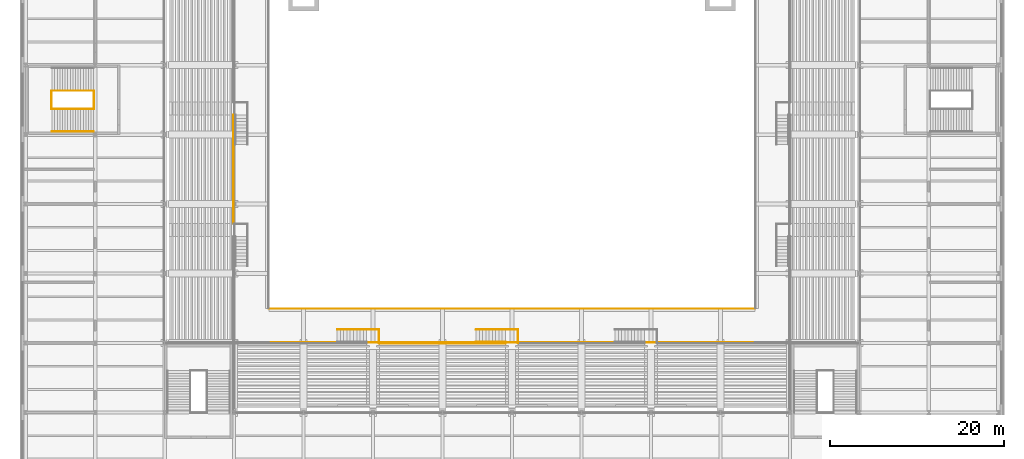
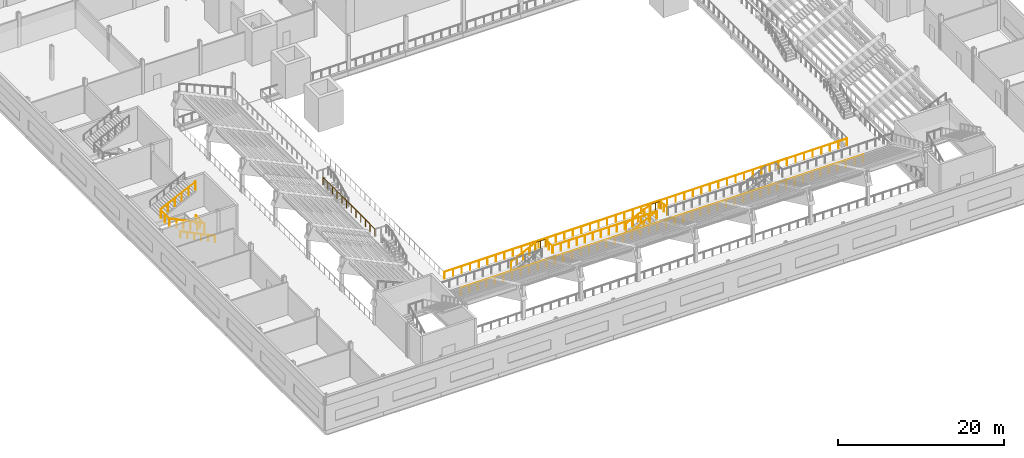
# One storey, part 21 of 27: 16 railings.
"""IFC4 building model written with IfcOpenShell, lengths in metres."""

import ifcopenshell
import ifcopenshell.guid

model = None  # the IFC model being written
_history = None  # IfcOwnerHistory: only IFC2X3 demands one
_inside = {}  # id of a spatial element -> (the spatial element, [elements in it])
_under = {}  # id of a project, library or spatial element -> (it, [spatial elements below it])
_declared = {}  # id of a project -> (the project, [libraries it declares])
_typed = {}  # id of a type object -> (the type object, [elements of that type])
_made_of = {}  # id of a material, layer set ... -> (it, [elements and type objects made of it])


def new_model(schema):
    """Start an empty IFC model of exactly this schema.

    Asked for "IFC4X3", IfcOpenShell would pick the latest addendum, in which some entities
    have other attributes; the version numbers below select the first issue.
    IFC2X3 requires an IfcOwnerHistory on every rooted entity: one is made here for all.
    """
    global model, _history
    if schema == "IFC4X3":
        model = ifcopenshell.file(schema_version=(4, 3, 0, 0))
    else:
        model = ifcopenshell.file(schema=schema)
    _inside.clear()
    _under.clear()
    _declared.clear()
    _typed.clear()
    _made_of.clear()
    _history = None
    if model.schema == "IFC2X3":
        org = make("IfcOrganization", Name="unknown")
        user = make(
            "IfcPersonAndOrganization",
            ThePerson=make("IfcPerson", FamilyName="unknown"),
            TheOrganization=org,
        )
        app = make(
            "IfcApplication",
            ApplicationDeveloper=org,
            Version="unknown",
            ApplicationFullName="unknown",
            ApplicationIdentifier="unknown",
        )
        _history = make(
            "IfcOwnerHistory",
            OwningUser=user,
            OwningApplication=app,
            ChangeAction="ADDED",
            CreationDate=0,
        )
    return model


def make(cls, **values):
    """One entity of the class cls with the attributes given. An attribute that is None is left unset."""
    return model.create_entity(
        cls, **{name: value for name, value in values.items() if value is not None}
    )


def rooted(cls, **values):
    """An entity with a GlobalId (a new one), such as an element, a storey or a relation."""
    return make(cls, GlobalId=ifcopenshell.guid.new(), OwnerHistory=_history, **values)


def si_unit(unit_type, name, prefix=None):
    """IfcSIUnit, for example si_unit("LENGTHUNIT", "METRE", prefix="MILLI")."""
    return make("IfcSIUnit", UnitType=unit_type, Prefix=prefix, Name=name)


def assignment(units):
    """IfcUnitAssignment: the units of a project."""
    return None if units is None else make("IfcUnitAssignment", Units=units)


def point(xyz):
    """IfcCartesianPoint."""
    return None if xyz is None else make("IfcCartesianPoint", Coordinates=xyz)


def direction(xyz):
    """IfcDirection."""
    return None if xyz is None else make("IfcDirection", DirectionRatios=xyz)


def frame(location, z_axis=None, x_axis=None):
    """IfcAxis2Placement3D, a coordinate frame: its origin and axes. An axis left out is left unset."""
    return make(
        "IfcAxis2Placement3D",
        Location=point(location),
        Axis=direction(z_axis),
        RefDirection=direction(x_axis),
    )


def frame_2d(location, x_axis=None):
    """IfcAxis2Placement2D, a coordinate frame in the plane: its origin and x axis."""
    return make(
        "IfcAxis2Placement2D", Location=point(location), RefDirection=direction(x_axis)
    )


def origin():
    """The frame at (0, 0, 0) with its axes left unset."""
    return frame((0.0, 0.0, 0.0))


def origin_2d():
    """The frame at (0, 0) in the plane with its x axis left unset."""
    return frame_2d((0.0, 0.0))


def place(relative_to, where):
    """IfcLocalPlacement: puts the frame where relative to a parent placement (None: the world)."""
    return make(
        "IfcLocalPlacement", PlacementRelTo=relative_to, RelativePlacement=where
    )


def context(
    kind, dimensions, precision=None, world=None, true_north=None, identifier=None
):
    """IfcGeometricRepresentationContext, for example the 3D "Model" context."""
    return make(
        "IfcGeometricRepresentationContext",
        ContextIdentifier=identifier,
        ContextType=kind,
        CoordinateSpaceDimension=dimensions,
        Precision=precision,
        WorldCoordinateSystem=world,
        TrueNorth=true_north,
    )


def subcontext(parent, identifier, kind, view, scale=None):
    """IfcGeometricRepresentationSubContext, for example "Body" below "Model"."""
    return make(
        "IfcGeometricRepresentationSubContext",
        ContextIdentifier=identifier,
        ContextType=kind,
        ParentContext=parent,
        TargetScale=scale,
        TargetView=view,
    )


def project(units=None, contexts=None):
    """IfcProject with its units and contexts."""
    return rooted(
        "IfcProject",
        Name="project",
        RepresentationContexts=contexts,
        UnitsInContext=assignment(units),
    )


def spatial(cls, under=None, at=None, **own):
    """A site, building, storey or space (cls), placed at a placement, below another one or the project."""
    s = rooted(cls, ObjectPlacement=at, **own)
    if under is not None:
        _under.setdefault(under.id(), (under, []))[1].append(s)
    return s


def profile(cls, at=None, kind="AREA", **sizes):
    """A parametric profile (cls). Its sizes go by their IFC names, for example OverallWidth=200.0."""
    return make(cls, ProfileType=kind, Position=at, **sizes)


def circle(**sizes):
    """IfcCircleProfileDef."""
    return profile("IfcCircleProfileDef", **sizes)


def extrude(swept, where, along, depth):
    """IfcExtrudedAreaSolid: the profile swept, set in the frame where, extruded along a direction by depth."""
    return make(
        "IfcExtrudedAreaSolid",
        SweptArea=swept,
        Position=where,
        ExtrudedDirection=direction(along),
        Depth=depth,
    )


def shape(context_of_items, identifier, shape_type, items):
    """IfcShapeRepresentation: the items that make up one representation, for example the "Body"."""
    return make(
        "IfcShapeRepresentation",
        ContextOfItems=context_of_items,
        RepresentationIdentifier=identifier,
        RepresentationType=shape_type,
        Items=items,
    )


def material(Name=None, Category=None):
    """IfcMaterial."""
    return make("IfcMaterial", Name=Name, Category=Category)


def made_of(thing, what):
    """Note that an element or type object is made of a material, layer set ...; save() writes the relation."""
    if what is not None:
        _made_of.setdefault(what.id(), (what, []))[1].append(thing)
    return thing


def type_object(cls, material=None, **own):
    """A type object (cls), such as IfcWallType, which elements share."""
    return made_of(rooted(cls, **own), material)


def element(
    cls,
    number,
    at=None,
    inside=None,
    cuts=None,
    type_object=None,
    material=None,
    context=None,
    identifier="Body",
    shape_type=None,
    held_by="IfcProductDefinitionShape",
    body=None,
    shapes=None,
    **own,
):
    """One element of the class cls, such as IfcWall. Its Tag is "e" and its number.

    at: its placement. inside: the storey or other place that contains it. cuts: it is an
    opening in that element (IfcRelVoidsElement). A single representation is given by context,
    identifier, shape_type and body (its items); several are given by shapes. held_by: the class
    of the entity that holds the representations. save() writes the other relations.
    """
    e = rooted(cls, Tag="e%d" % number, ObjectPlacement=at, **own)
    if body is not None:
        shapes = [shape(context, identifier, shape_type, body)]
    if shapes is not None:
        e.Representation = make(held_by, Representations=shapes)
    if inside is not None:
        _inside.setdefault(inside.id(), (inside, []))[1].append(e)
    if cuts is not None:
        rooted(
            "IfcRelVoidsElement", RelatingBuildingElement=cuts, RelatedOpeningElement=e
        )
    if type_object is not None:
        _typed.setdefault(type_object.id(), (type_object, []))[1].append(e)
    return made_of(e, material)


def aggregate(whole, parts):
    """IfcRelAggregates: a whole, such as a stair, and the parts it consists of."""
    return rooted("IfcRelAggregates", RelatingObject=whole, RelatedObjects=parts)


def save(model, path):
    """Write the relations noted so far, then the file.

    IfcRelAggregates (storeys below a building ...), IfcRelContainedInSpatialStructure (elements
    in a storey), IfcRelDefinesByType, IfcRelAssociatesMaterial and IfcRelDeclares: one each for
    every whole, place, type object, material and project.
    """
    for whole, parts in _under.values():
        aggregate(whole, parts)
    for where, things in _inside.values():
        rooted(
            "IfcRelContainedInSpatialStructure",
            RelatedElements=things,
            RelatingStructure=where,
        )
    for kind, things in _typed.values():
        rooted("IfcRelDefinesByType", RelatedObjects=things, RelatingType=kind)
    for what, things in _made_of.values():
        rooted("IfcRelAssociatesMaterial", RelatedObjects=things, RelatingMaterial=what)
    for by, libraries in _declared.values():
        rooted("IfcRelDeclares", RelatingContext=by, RelatedDefinitions=libraries)
    model.write(path)


model = new_model("IFC4")

# Units and contexts
model_context = context("Model", 3, precision=1e-05, world=origin(), true_north=direction((0.0, 1.0)))
body_context = subcontext(model_context, "Body", "Model", "MODEL_VIEW")
ifc_project = project(units=[si_unit("LENGTHUNIT", "METRE"), si_unit("AREAUNIT", "SQUARE_METRE"), si_unit("VOLUMEUNIT", "CUBIC_METRE"), si_unit("PLANEANGLEUNIT", "RADIAN"), si_unit("MASSUNIT", "GRAM", prefix="KILO")], contexts=[model_context])

# Site, building, storey
site_placement = place(None, origin())
site = spatial("IfcSite", under=ifc_project, at=site_placement, CompositionType="ELEMENT")
building_placement = place(site_placement, origin())
building = spatial("IfcBuilding", under=site, at=building_placement, Name="Daluyong Arena Tower", CompositionType="ELEMENT")
storey_placement = place(building_placement, frame((0.0, 0.0, 14.89990234375)))
storey = spatial("IfcBuildingStorey", under=building, at=storey_placement, Name="L03", CompositionType="ELEMENT", Elevation=14.89990234375)

# Railings
ifc_material_1 = material(Name="Steel guard with glass infill", Category="steel")
railing_type_1 = type_object("IfcRailingType", Name="Bowl front guard 1100", PredefinedType="GUARDRAIL", material=ifc_material_1)
railing_1_placement = place(storey_placement, frame((23.949951171875, 29.75, 1.785888671875)))
element("IfcRailing", 1, at=railing_1_placement, inside=storey, type_object=railing_type_1, Name="bowl guard", PredefinedType="GUARDRAIL", context=body_context, shape_type="SweptSolid", body=[
    extrude(circle(Radius=0.02392578125, at=origin_2d()), frame((0.0, 0.0, 1.076171875), z_axis=(0.0, 1.0, 0.0), x_axis=(-1.0, 0.0, 0.0)), (0.0, 0.0, 1.0), 12.5),
    extrude(circle(Radius=0.02099609375, at=origin_2d()), origin(), (0.0, 0.0, 1.0), 1.052001953125),
    extrude(circle(Radius=0.02099609375, at=origin_2d()), frame((0.0, 1.136474609375, 0.0)), (0.0, 0.0, 1.0), 1.052001953125),
    extrude(circle(Radius=0.02099609375, at=origin_2d()), frame((0.0, 2.272705078125, 0.0)), (0.0, 0.0, 1.0), 1.052001953125),
    extrude(circle(Radius=0.02099609375, at=origin_2d()), frame((0.0, 3.4091796875, 0.0)), (0.0, 0.0, 1.0), 1.052001953125),
    extrude(circle(Radius=0.02099609375, at=origin_2d()), frame((0.0, 4.54541015625, 0.0)), (0.0, 0.0, 1.0), 1.052001953125),
    extrude(circle(Radius=0.02099609375, at=origin_2d()), frame((0.0, 5.681884765625, 0.0)), (0.0, 0.0, 1.0), 1.052001953125),
    extrude(circle(Radius=0.02099609375, at=origin_2d()), frame((0.0, 6.818115234375, 0.0)), (0.0, 0.0, 1.0), 1.052001953125),
    extrude(circle(Radius=0.02099609375, at=origin_2d()), frame((0.0, 7.95458984375, 0.0)), (0.0, 0.0, 1.0), 1.052001953125),
    extrude(circle(Radius=0.02099609375, at=origin_2d()), frame((0.0, 9.0908203125, 0.0)), (0.0, 0.0, 1.0), 1.052001953125),
    extrude(circle(Radius=0.02099609375, at=origin_2d()), frame((0.0, 10.227294921875, 0.0)), (0.0, 0.0, 1.0), 1.052001953125),
    extrude(circle(Radius=0.02099609375, at=origin_2d()), frame((0.0, 11.363525390625, 0.0)), (0.0, 0.0, 1.0), 1.052001953125),
    extrude(circle(Radius=0.02099609375, at=origin_2d()), frame((0.0, 12.5, 0.0)), (0.0, 0.0, 1.0), 1.052001953125),
])
railing_2_placement = place(storey_placement, frame((40.75, 15.949951171875, 1.785888671875)))
element("IfcRailing", 2, at=railing_2_placement, inside=storey, type_object=railing_type_1, Name="bowl guard", PredefinedType="GUARDRAIL", context=body_context, shape_type="SweptSolid", body=[
    extrude(circle(Radius=0.02392578125, at=origin_2d()), frame((0.0, 0.0, 1.076171875), z_axis=(1.0, 0.0, 0.0), x_axis=(0.0, 1.0, 0.0)), (0.0, 0.0, 1.0), 14.5),
    extrude(circle(Radius=0.02099609375, at=origin_2d()), origin(), (0.0, 0.0, 1.0), 1.052001953125),
    extrude(circle(Radius=0.02099609375, at=origin_2d()), frame((1.115478515625, 0.0, 0.0)), (0.0, 0.0, 1.0), 1.052001953125),
    extrude(circle(Radius=0.02099609375, at=origin_2d()), frame((2.230712890625, 0.0, 0.0)), (0.0, 0.0, 1.0), 1.052001953125),
    extrude(circle(Radius=0.02099609375, at=origin_2d()), frame((3.34619140625, 0.0, 0.0)), (0.0, 0.0, 1.0), 1.052001953125),
    extrude(circle(Radius=0.02099609375, at=origin_2d()), frame((4.46142578125, 0.0, 0.0)), (0.0, 0.0, 1.0), 1.052001953125),
    extrude(circle(Radius=0.02099609375, at=origin_2d()), frame((5.576904296875, 0.0, 0.0)), (0.0, 0.0, 1.0), 1.052001953125),
    extrude(circle(Radius=0.02099609375, at=origin_2d()), frame((6.6923828125, 0.0, 0.0)), (0.0, 0.0, 1.0), 1.052001953125),
    extrude(circle(Radius=0.02099609375, at=origin_2d()), frame((7.8076171875, 0.0, 0.0)), (0.0, 0.0, 1.0), 1.052001953125),
    extrude(circle(Radius=0.02099609375, at=origin_2d()), frame((8.923095703125, 0.0, 0.0)), (0.0, 0.0, 1.0), 1.052001953125),
    extrude(circle(Radius=0.02099609375, at=origin_2d()), frame((10.03857421875, 0.0, 0.0)), (0.0, 0.0, 1.0), 1.052001953125),
    extrude(circle(Radius=0.02099609375, at=origin_2d()), frame((11.15380859375, 0.0, 0.0)), (0.0, 0.0, 1.0), 1.052001953125),
    extrude(circle(Radius=0.02099609375, at=origin_2d()), frame((12.269287109375, 0.0, 0.0)), (0.0, 0.0, 1.0), 1.052001953125),
    extrude(circle(Radius=0.02099609375, at=origin_2d()), frame((13.384521484375, 0.0, 0.0)), (0.0, 0.0, 1.0), 1.052001953125),
    extrude(circle(Radius=0.02099609375, at=origin_2d()), frame((14.5, 0.0, 0.0)), (0.0, 0.0, 1.0), 1.052001953125),
])
ifc_material_2 = material(Name="Steel guard with glass infill", Category="steel")
railing_type_2 = type_object("IfcRailingType", Name="Floor edge guard 1100", PredefinedType="GUARDRAIL", material=ifc_material_2)
railing_3_placement = place(storey_placement, frame((28.0, 16.050048828125, 0.0)))
element("IfcRailing", 3, at=railing_3_placement, inside=storey, type_object=railing_type_2, Name="floor edge guard L03", PredefinedType="GUARDRAIL", context=body_context, shape_type="SweptSolid", body=[
    extrude(circle(Radius=0.02392578125, at=origin_2d()), frame((0.0, 0.0, 1.076171875), z_axis=(1.0, 0.0, 0.0), x_axis=(0.0, 1.0, 0.0)), (0.0, 0.0, 1.0), 56.0),
    extrude(circle(Radius=0.02099609375, at=origin_2d()), origin(), (0.0, 0.0, 1.0), 1.052001953125),
    extrude(circle(Radius=0.02099609375, at=origin_2d()), frame((1.19140625, 0.0, 0.0)), (0.0, 0.0, 1.0), 1.052001953125),
    extrude(circle(Radius=0.02099609375, at=origin_2d()), frame((2.383056640625, 0.0, 0.0)), (0.0, 0.0, 1.0), 1.052001953125),
    extrude(circle(Radius=0.02099609375, at=origin_2d()), frame((3.574462890625, 0.0, 0.0)), (0.0, 0.0, 1.0), 1.052001953125),
    extrude(circle(Radius=0.02099609375, at=origin_2d()), frame((4.765869140625, 0.0, 0.0)), (0.0, 0.0, 1.0), 1.052001953125),
    extrude(circle(Radius=0.02099609375, at=origin_2d()), frame((5.95751953125, 0.0, 0.0)), (0.0, 0.0, 1.0), 1.052001953125),
    extrude(circle(Radius=0.02099609375, at=origin_2d()), frame((7.14892578125, 0.0, 0.0)), (0.0, 0.0, 1.0), 1.052001953125),
    extrude(circle(Radius=0.02099609375, at=origin_2d()), frame((8.34033203125, 0.0, 0.0)), (0.0, 0.0, 1.0), 1.052001953125),
    extrude(circle(Radius=0.02099609375, at=origin_2d()), frame((9.531982421875, 0.0, 0.0)), (0.0, 0.0, 1.0), 1.052001953125),
    extrude(circle(Radius=0.02099609375, at=origin_2d()), frame((10.723388671875, 0.0, 0.0)), (0.0, 0.0, 1.0), 1.052001953125),
    extrude(circle(Radius=0.02099609375, at=origin_2d()), frame((11.914794921875, 0.0, 0.0)), (0.0, 0.0, 1.0), 1.052001953125),
    extrude(circle(Radius=0.02099609375, at=origin_2d()), frame((13.1064453125, 0.0, 0.0)), (0.0, 0.0, 1.0), 1.052001953125),
    extrude(circle(Radius=0.02099609375, at=origin_2d()), frame((14.2978515625, 0.0, 0.0)), (0.0, 0.0, 1.0), 1.052001953125),
    extrude(circle(Radius=0.02099609375, at=origin_2d()), frame((15.4892578125, 0.0, 0.0)), (0.0, 0.0, 1.0), 1.052001953125),
    extrude(circle(Radius=0.02099609375, at=origin_2d()), frame((16.680908203125, 0.0, 0.0)), (0.0, 0.0, 1.0), 1.052001953125),
    extrude(circle(Radius=0.02099609375, at=origin_2d()), frame((17.872314453125, 0.0, 0.0)), (0.0, 0.0, 1.0), 1.052001953125),
    extrude(circle(Radius=0.02099609375, at=origin_2d()), frame((19.063720703125, 0.0, 0.0)), (0.0, 0.0, 1.0), 1.052001953125),
    extrude(circle(Radius=0.02099609375, at=origin_2d()), frame((20.25537109375, 0.0, 0.0)), (0.0, 0.0, 1.0), 1.052001953125),
    extrude(circle(Radius=0.02099609375, at=origin_2d()), frame((21.44677734375, 0.0, 0.0)), (0.0, 0.0, 1.0), 1.052001953125),
    extrude(circle(Radius=0.02099609375, at=origin_2d()), frame((22.63818359375, 0.0, 0.0)), (0.0, 0.0, 1.0), 1.052001953125),
    extrude(circle(Radius=0.02099609375, at=origin_2d()), frame((23.829833984375, 0.0, 0.0)), (0.0, 0.0, 1.0), 1.052001953125),
    extrude(circle(Radius=0.02099609375, at=origin_2d()), frame((25.021240234375, 0.0, 0.0)), (0.0, 0.0, 1.0), 1.052001953125),
    extrude(circle(Radius=0.02099609375, at=origin_2d()), frame((26.212646484375, 0.0, 0.0)), (0.0, 0.0, 1.0), 1.052001953125),
    extrude(circle(Radius=0.02099609375, at=origin_2d()), frame((27.404296875, 0.0, 0.0)), (0.0, 0.0, 1.0), 1.052001953125),
    extrude(circle(Radius=0.02099609375, at=origin_2d()), frame((28.595703125, 0.0, 0.0)), (0.0, 0.0, 1.0), 1.052001953125),
    extrude(circle(Radius=0.02099609375, at=origin_2d()), frame((29.787353515625, 0.0, 0.0)), (0.0, 0.0, 1.0), 1.052001953125),
    extrude(circle(Radius=0.02099609375, at=origin_2d()), frame((30.978759765625, 0.0, 0.0)), (0.0, 0.0, 1.0), 1.052001953125),
    extrude(circle(Radius=0.02099609375, at=origin_2d()), frame((32.170166015625, 0.0, 0.0)), (0.0, 0.0, 1.0), 1.052001953125),
    extrude(circle(Radius=0.02099609375, at=origin_2d()), frame((33.36181640625, 0.0, 0.0)), (0.0, 0.0, 1.0), 1.052001953125),
    extrude(circle(Radius=0.02099609375, at=origin_2d()), frame((34.55322265625, 0.0, 0.0)), (0.0, 0.0, 1.0), 1.052001953125),
    extrude(circle(Radius=0.02099609375, at=origin_2d()), frame((35.74462890625, 0.0, 0.0)), (0.0, 0.0, 1.0), 1.052001953125),
    extrude(circle(Radius=0.02099609375, at=origin_2d()), frame((36.936279296875, 0.0, 0.0)), (0.0, 0.0, 1.0), 1.052001953125),
    extrude(circle(Radius=0.02099609375, at=origin_2d()), frame((38.127685546875, 0.0, 0.0)), (0.0, 0.0, 1.0), 1.052001953125),
    extrude(circle(Radius=0.02099609375, at=origin_2d()), frame((39.319091796875, 0.0, 0.0)), (0.0, 0.0, 1.0), 1.052001953125),
    extrude(circle(Radius=0.02099609375, at=origin_2d()), frame((40.5107421875, 0.0, 0.0)), (0.0, 0.0, 1.0), 1.052001953125),
    extrude(circle(Radius=0.02099609375, at=origin_2d()), frame((41.7021484375, 0.0, 0.0)), (0.0, 0.0, 1.0), 1.052001953125),
    extrude(circle(Radius=0.02099609375, at=origin_2d()), frame((42.8935546875, 0.0, 0.0)), (0.0, 0.0, 1.0), 1.052001953125),
    extrude(circle(Radius=0.02099609375, at=origin_2d()), frame((44.085205078125, 0.0, 0.0)), (0.0, 0.0, 1.0), 1.052001953125),
    extrude(circle(Radius=0.02099609375, at=origin_2d()), frame((45.276611328125, 0.0, 0.0)), (0.0, 0.0, 1.0), 1.052001953125),
    extrude(circle(Radius=0.02099609375, at=origin_2d()), frame((46.468017578125, 0.0, 0.0)), (0.0, 0.0, 1.0), 1.052001953125),
    extrude(circle(Radius=0.02099609375, at=origin_2d()), frame((47.65966796875, 0.0, 0.0)), (0.0, 0.0, 1.0), 1.052001953125),
    extrude(circle(Radius=0.02099609375, at=origin_2d()), frame((48.85107421875, 0.0, 0.0)), (0.0, 0.0, 1.0), 1.052001953125),
    extrude(circle(Radius=0.02099609375, at=origin_2d()), frame((50.04248046875, 0.0, 0.0)), (0.0, 0.0, 1.0), 1.052001953125),
    extrude(circle(Radius=0.02099609375, at=origin_2d()), frame((51.234130859375, 0.0, 0.0)), (0.0, 0.0, 1.0), 1.052001953125),
    extrude(circle(Radius=0.02099609375, at=origin_2d()), frame((52.425537109375, 0.0, 0.0)), (0.0, 0.0, 1.0), 1.052001953125),
    extrude(circle(Radius=0.02099609375, at=origin_2d()), frame((53.616943359375, 0.0, 0.0)), (0.0, 0.0, 1.0), 1.052001953125),
    extrude(circle(Radius=0.02099609375, at=origin_2d()), frame((54.80859375, 0.0, 0.0)), (0.0, 0.0, 1.0), 1.052001953125),
    extrude(circle(Radius=0.02099609375, at=origin_2d()), frame((56.0, 0.0, 0.0)), (0.0, 0.0, 1.0), 1.052001953125),
])
railing_4_placement = place(storey_placement, frame((84.0, 19.949951171875, 0.0)))
element("IfcRailing", 4, at=railing_4_placement, inside=storey, type_object=railing_type_2, Name="floor edge guard L03", PredefinedType="GUARDRAIL", context=body_context, shape_type="SweptSolid", body=[
    extrude(circle(Radius=0.02392578125, at=origin_2d()), frame((0.0, 0.0, 1.076171875), z_axis=(-1.0, 0.0, 0.0), x_axis=(0.0, -1.0, 0.0)), (0.0, 0.0, 1.0), 56.0),
    extrude(circle(Radius=0.02099609375, at=origin_2d()), origin(), (0.0, 0.0, 1.0), 1.052001953125),
    extrude(circle(Radius=0.02099609375, at=origin_2d()), frame((-1.19140625, 0.0, 0.0)), (0.0, 0.0, 1.0), 1.052001953125),
    extrude(circle(Radius=0.02099609375, at=origin_2d()), frame((-2.383056640625, 0.0, 0.0)), (0.0, 0.0, 1.0), 1.052001953125),
    extrude(circle(Radius=0.02099609375, at=origin_2d()), frame((-3.574462890625, 0.0, 0.0)), (0.0, 0.0, 1.0), 1.052001953125),
    extrude(circle(Radius=0.02099609375, at=origin_2d()), frame((-4.765869140625, 0.0, 0.0)), (0.0, 0.0, 1.0), 1.052001953125),
    extrude(circle(Radius=0.02099609375, at=origin_2d()), frame((-5.95751953125, 0.0, 0.0)), (0.0, 0.0, 1.0), 1.052001953125),
    extrude(circle(Radius=0.02099609375, at=origin_2d()), frame((-7.14892578125, 0.0, 0.0)), (0.0, 0.0, 1.0), 1.052001953125),
    extrude(circle(Radius=0.02099609375, at=origin_2d()), frame((-8.34033203125, 0.0, 0.0)), (0.0, 0.0, 1.0), 1.052001953125),
    extrude(circle(Radius=0.02099609375, at=origin_2d()), frame((-9.531982421875, 0.0, 0.0)), (0.0, 0.0, 1.0), 1.052001953125),
    extrude(circle(Radius=0.02099609375, at=origin_2d()), frame((-10.723388671875, 0.0, 0.0)), (0.0, 0.0, 1.0), 1.052001953125),
    extrude(circle(Radius=0.02099609375, at=origin_2d()), frame((-11.914794921875, 0.0, 0.0)), (0.0, 0.0, 1.0), 1.052001953125),
    extrude(circle(Radius=0.02099609375, at=origin_2d()), frame((-13.1064453125, 0.0, 0.0)), (0.0, 0.0, 1.0), 1.052001953125),
    extrude(circle(Radius=0.02099609375, at=origin_2d()), frame((-14.2978515625, 0.0, 0.0)), (0.0, 0.0, 1.0), 1.052001953125),
    extrude(circle(Radius=0.02099609375, at=origin_2d()), frame((-15.4892578125, 0.0, 0.0)), (0.0, 0.0, 1.0), 1.052001953125),
    extrude(circle(Radius=0.02099609375, at=origin_2d()), frame((-16.680908203125, 0.0, 0.0)), (0.0, 0.0, 1.0), 1.052001953125),
    extrude(circle(Radius=0.02099609375, at=origin_2d()), frame((-17.872314453125, 0.0, 0.0)), (0.0, 0.0, 1.0), 1.052001953125),
    extrude(circle(Radius=0.02099609375, at=origin_2d()), frame((-19.063720703125, 0.0, 0.0)), (0.0, 0.0, 1.0), 1.052001953125),
    extrude(circle(Radius=0.02099609375, at=origin_2d()), frame((-20.25537109375, 0.0, 0.0)), (0.0, 0.0, 1.0), 1.052001953125),
    extrude(circle(Radius=0.02099609375, at=origin_2d()), frame((-21.44677734375, 0.0, 0.0)), (0.0, 0.0, 1.0), 1.052001953125),
    extrude(circle(Radius=0.02099609375, at=origin_2d()), frame((-22.63818359375, 0.0, 0.0)), (0.0, 0.0, 1.0), 1.052001953125),
    extrude(circle(Radius=0.02099609375, at=origin_2d()), frame((-23.829833984375, 0.0, 0.0)), (0.0, 0.0, 1.0), 1.052001953125),
    extrude(circle(Radius=0.02099609375, at=origin_2d()), frame((-25.021240234375, 0.0, 0.0)), (0.0, 0.0, 1.0), 1.052001953125),
    extrude(circle(Radius=0.02099609375, at=origin_2d()), frame((-26.212646484375, 0.0, 0.0)), (0.0, 0.0, 1.0), 1.052001953125),
    extrude(circle(Radius=0.02099609375, at=origin_2d()), frame((-27.404296875, 0.0, 0.0)), (0.0, 0.0, 1.0), 1.052001953125),
    extrude(circle(Radius=0.02099609375, at=origin_2d()), frame((-28.595703125, 0.0, 0.0)), (0.0, 0.0, 1.0), 1.052001953125),
    extrude(circle(Radius=0.02099609375, at=origin_2d()), frame((-29.787353515625, 0.0, 0.0)), (0.0, 0.0, 1.0), 1.052001953125),
    extrude(circle(Radius=0.02099609375, at=origin_2d()), frame((-30.978759765625, 0.0, 0.0)), (0.0, 0.0, 1.0), 1.052001953125),
    extrude(circle(Radius=0.02099609375, at=origin_2d()), frame((-32.170166015625, 0.0, 0.0)), (0.0, 0.0, 1.0), 1.052001953125),
    extrude(circle(Radius=0.02099609375, at=origin_2d()), frame((-33.36181640625, 0.0, 0.0)), (0.0, 0.0, 1.0), 1.052001953125),
    extrude(circle(Radius=0.02099609375, at=origin_2d()), frame((-34.55322265625, 0.0, 0.0)), (0.0, 0.0, 1.0), 1.052001953125),
    extrude(circle(Radius=0.02099609375, at=origin_2d()), frame((-35.74462890625, 0.0, 0.0)), (0.0, 0.0, 1.0), 1.052001953125),
    extrude(circle(Radius=0.02099609375, at=origin_2d()), frame((-36.936279296875, 0.0, 0.0)), (0.0, 0.0, 1.0), 1.052001953125),
    extrude(circle(Radius=0.02099609375, at=origin_2d()), frame((-38.127685546875, 0.0, 0.0)), (0.0, 0.0, 1.0), 1.052001953125),
    extrude(circle(Radius=0.02099609375, at=origin_2d()), frame((-39.319091796875, 0.0, 0.0)), (0.0, 0.0, 1.0), 1.052001953125),
    extrude(circle(Radius=0.02099609375, at=origin_2d()), frame((-40.5107421875, 0.0, 0.0)), (0.0, 0.0, 1.0), 1.052001953125),
    extrude(circle(Radius=0.02099609375, at=origin_2d()), frame((-41.7021484375, 0.0, 0.0)), (0.0, 0.0, 1.0), 1.052001953125),
    extrude(circle(Radius=0.02099609375, at=origin_2d()), frame((-42.8935546875, 0.0, 0.0)), (0.0, 0.0, 1.0), 1.052001953125),
    extrude(circle(Radius=0.02099609375, at=origin_2d()), frame((-44.085205078125, 0.0, 0.0)), (0.0, 0.0, 1.0), 1.052001953125),
    extrude(circle(Radius=0.02099609375, at=origin_2d()), frame((-45.276611328125, 0.0, 0.0)), (0.0, 0.0, 1.0), 1.052001953125),
    extrude(circle(Radius=0.02099609375, at=origin_2d()), frame((-46.468017578125, 0.0, 0.0)), (0.0, 0.0, 1.0), 1.052001953125),
    extrude(circle(Radius=0.02099609375, at=origin_2d()), frame((-47.65966796875, 0.0, 0.0)), (0.0, 0.0, 1.0), 1.052001953125),
    extrude(circle(Radius=0.02099609375, at=origin_2d()), frame((-48.85107421875, 0.0, 0.0)), (0.0, 0.0, 1.0), 1.052001953125),
    extrude(circle(Radius=0.02099609375, at=origin_2d()), frame((-50.04248046875, 0.0, 0.0)), (0.0, 0.0, 1.0), 1.052001953125),
    extrude(circle(Radius=0.02099609375, at=origin_2d()), frame((-51.234130859375, 0.0, 0.0)), (0.0, 0.0, 1.0), 1.052001953125),
    extrude(circle(Radius=0.02099609375, at=origin_2d()), frame((-52.425537109375, 0.0, 0.0)), (0.0, 0.0, 1.0), 1.052001953125),
    extrude(circle(Radius=0.02099609375, at=origin_2d()), frame((-53.616943359375, 0.0, 0.0)), (0.0, 0.0, 1.0), 1.052001953125),
    extrude(circle(Radius=0.02099609375, at=origin_2d()), frame((-54.80859375, 0.0, 0.0)), (0.0, 0.0, 1.0), 1.052001953125),
    extrude(circle(Radius=0.02099609375, at=origin_2d()), frame((-56.0, 0.0, 0.0)), (0.0, 0.0, 1.0), 1.052001953125),
])
ifc_material_3 = material(Name="Stainless steel handrail", Category="steel")
railing_type_3 = type_object("IfcRailingType", Name="Stair handrail", PredefinedType="HANDRAIL", material=ifc_material_3)
railing_5_placement = place(storey_placement, frame((7.840087890625, 40.35009765625, 0.147216796875)))
element("IfcRailing", 5, at=railing_5_placement, inside=storey, type_object=railing_type_3, Name="exit stair PS3 handrail L03", PredefinedType="HANDRAIL", context=body_context, shape_type="SweptSolid", body=[
    extrude(circle(Radius=0.02392578125, at=origin_2d()), frame((0.0, 0.0, 0.8759765625), z_axis=(-0.89793417156, 0.0, 0.440129780343), x_axis=(0.0, -1.0, 0.0)), (0.0, 0.0, 1.0), 5.345703125),
    extrude(circle(Radius=0.02099609375, at=origin_2d()), origin(), (0.0, 0.0, 1.0), 0.851806640625),
    extrude(circle(Radius=0.02099609375, at=origin_2d()), frame((-0.9599609375, 0.0, 0.470458984375)), (0.0, 0.0, 1.0), 0.851806640625),
    extrude(circle(Radius=0.02099609375, at=origin_2d()), frame((-1.919921875, 0.0, 0.941162109375)), (0.0, 0.0, 1.0), 0.851806640625),
    extrude(circle(Radius=0.02099609375, at=origin_2d()), frame((-2.880126953125, 0.0, 1.41162109375)), (0.0, 0.0, 1.0), 0.851806640625),
    extrude(circle(Radius=0.02099609375, at=origin_2d()), frame((-3.840087890625, 0.0, 1.88232421875)), (0.0, 0.0, 1.0), 0.851806640625),
    extrude(circle(Radius=0.02099609375, at=origin_2d()), frame((-4.800048828125, 0.0, 2.352783203125)), (0.0, 0.0, 1.0), 0.851806640625),
])
railing_6_placement = place(storey_placement, frame((51.875, 16.14990234375, 0.1787109375)))
element("IfcRailing", 6, at=railing_6_placement, inside=storey, type_object=railing_type_3, Name="upper bowl aisle stair handrail", PredefinedType="HANDRAIL", context=body_context, shape_type="SweptSolid", body=[
    extrude(circle(Radius=0.02392578125, at=origin_2d()), frame((0.0, 0.0, 0.8759765625), z_axis=(0.902856897119, 0.0, 0.42994118589), x_axis=(0.0, 1.0, 0.0)), (0.0, 0.0, 1.0), 3.738037109375),
    extrude(circle(Radius=0.02099609375, at=origin_2d()), origin(), (0.0, 0.0, 1.0), 0.851806640625),
    extrude(circle(Radius=0.02099609375, at=origin_2d()), frame((0.84375, 0.0, 0.40185546875)), (0.0, 0.0, 1.0), 0.851806640625),
    extrude(circle(Radius=0.02099609375, at=origin_2d()), frame((1.6875, 0.0, 0.8037109375)), (0.0, 0.0, 1.0), 0.851806640625),
    extrude(circle(Radius=0.02099609375, at=origin_2d()), frame((2.53125, 0.0, 1.205322265625)), (0.0, 0.0, 1.0), 0.851806640625),
    extrude(circle(Radius=0.02099609375, at=origin_2d()), frame((3.375, 0.0, 1.607177734375)), (0.0, 0.0, 1.0), 0.851806640625),
])
ifc_material_4 = material(Name="Steel balustrade", Category="steel")
railing_type_4 = type_object("IfcRailingType", Name="Stair well guard 1100", PredefinedType="GUARDRAIL", material=ifc_material_4)
railing_7_placement = place(storey_placement, frame((35.875, 17.550048828125, 0.1787109375)))
element("IfcRailing", 7, at=railing_7_placement, inside=storey, type_object=railing_type_4, Name="upper bowl aisle stair guard", PredefinedType="GUARDRAIL", context=body_context, shape_type="SweptSolid", body=[
    extrude(circle(Radius=0.02392578125, at=origin_2d()), frame((0.0, 0.0, 1.076171875), z_axis=(0.902856897119, 0.0, 0.42994118589), x_axis=(0.0, 1.0, 0.0)), (0.0, 0.0, 1.0), 3.738037109375),
    extrude(circle(Radius=0.02099609375, at=origin_2d()), origin(), (0.0, 0.0, 1.0), 1.052001953125),
    extrude(circle(Radius=0.02099609375, at=origin_2d()), frame((0.84375, 0.0, 0.40185546875)), (0.0, 0.0, 1.0), 1.052001953125),
    extrude(circle(Radius=0.02099609375, at=origin_2d()), frame((1.6875, 0.0, 0.8037109375)), (0.0, 0.0, 1.0), 1.052001953125),
    extrude(circle(Radius=0.02099609375, at=origin_2d()), frame((2.53125, 0.0, 1.205322265625)), (0.0, 0.0, 1.0), 1.052001953125),
    extrude(circle(Radius=0.02099609375, at=origin_2d()), frame((3.375, 0.0, 1.607177734375)), (0.0, 0.0, 1.0), 1.052001953125),
])
railing_8_placement = place(storey_placement, frame((39.25, 17.550048828125, 1.785888671875)))
element("IfcRailing", 8, at=railing_8_placement, inside=storey, type_object=railing_type_4, Name="upper bowl aisle stair guard", PredefinedType="GUARDRAIL", context=body_context, shape_type="SweptSolid", body=[
    extrude(circle(Radius=0.02392578125, at=origin_2d()), frame((0.0, 0.0, 1.076171875), z_axis=(1.0, 0.0, 0.0), x_axis=(0.0, 1.0, 0.0)), (0.0, 0.0, 1.0), 1.449951171875),
    extrude(circle(Radius=0.02099609375, at=origin_2d()), origin(), (0.0, 0.0, 1.0), 1.052001953125),
    extrude(circle(Radius=0.02099609375, at=origin_2d()), frame((0.72509765625, 0.0, 0.0)), (0.0, 0.0, 1.0), 1.052001953125),
    extrude(circle(Radius=0.02099609375, at=origin_2d()), frame((1.449951171875, 0.0, 0.0)), (0.0, 0.0, 1.0), 1.052001953125),
])
railing_9_placement = place(storey_placement, frame((40.699951171875, 17.550048828125, 1.785888671875)))
element("IfcRailing", 9, at=railing_9_placement, inside=storey, type_object=railing_type_4, Name="upper bowl aisle stair guard", PredefinedType="GUARDRAIL", context=body_context, shape_type="SweptSolid", body=[
    extrude(circle(Radius=0.02392578125, at=origin_2d()), frame((0.0, 0.0, 1.076171875), z_axis=(0.0, -1.0, 0.0), x_axis=(1.0, 0.0, 0.0)), (0.0, 0.0, 1.0), 1.550048828125),
    extrude(circle(Radius=0.02099609375, at=origin_2d()), origin(), (0.0, 0.0, 1.0), 1.052001953125),
    extrude(circle(Radius=0.02099609375, at=origin_2d()), frame((0.0, -0.77490234375, 0.0)), (0.0, 0.0, 1.0), 1.052001953125),
    extrude(circle(Radius=0.02099609375, at=origin_2d()), frame((0.0, -1.550048828125, 0.0)), (0.0, 0.0, 1.0), 1.052001953125),
])
railing_10_placement = place(storey_placement, frame((51.875, 17.550048828125, 0.1787109375)))
element("IfcRailing", 10, at=railing_10_placement, inside=storey, type_object=railing_type_4, Name="upper bowl aisle stair guard", PredefinedType="GUARDRAIL", context=body_context, shape_type="SweptSolid", body=[
    extrude(circle(Radius=0.02392578125, at=origin_2d()), frame((0.0, 0.0, 1.076171875), z_axis=(0.902856897119, 0.0, 0.42994118589), x_axis=(0.0, 1.0, 0.0)), (0.0, 0.0, 1.0), 3.738037109375),
    extrude(circle(Radius=0.02099609375, at=origin_2d()), origin(), (0.0, 0.0, 1.0), 1.052001953125),
    extrude(circle(Radius=0.02099609375, at=origin_2d()), frame((0.84375, 0.0, 0.40185546875)), (0.0, 0.0, 1.0), 1.052001953125),
    extrude(circle(Radius=0.02099609375, at=origin_2d()), frame((1.6875, 0.0, 0.8037109375)), (0.0, 0.0, 1.0), 1.052001953125),
    extrude(circle(Radius=0.02099609375, at=origin_2d()), frame((2.53125, 0.0, 1.205322265625)), (0.0, 0.0, 1.0), 1.052001953125),
    extrude(circle(Radius=0.02099609375, at=origin_2d()), frame((3.375, 0.0, 1.607177734375)), (0.0, 0.0, 1.0), 1.052001953125),
])
railing_11_placement = place(storey_placement, frame((55.25, 17.550048828125, 1.785888671875)))
element("IfcRailing", 11, at=railing_11_placement, inside=storey, type_object=railing_type_4, Name="upper bowl aisle stair guard", PredefinedType="GUARDRAIL", context=body_context, shape_type="SweptSolid", body=[
    extrude(circle(Radius=0.02392578125, at=origin_2d()), frame((0.0, 0.0, 1.076171875), z_axis=(1.0, 0.0, 0.0), x_axis=(0.0, 1.0, 0.0)), (0.0, 0.0, 1.0), 1.449951171875),
    extrude(circle(Radius=0.02099609375, at=origin_2d()), origin(), (0.0, 0.0, 1.0), 1.052001953125),
    extrude(circle(Radius=0.02099609375, at=origin_2d()), frame((0.72509765625, 0.0, 0.0)), (0.0, 0.0, 1.0), 1.052001953125),
    extrude(circle(Radius=0.02099609375, at=origin_2d()), frame((1.449951171875, 0.0, 0.0)), (0.0, 0.0, 1.0), 1.052001953125),
])
railing_12_placement = place(storey_placement, frame((56.699951171875, 17.550048828125, 1.785888671875)))
element("IfcRailing", 12, at=railing_12_placement, inside=storey, type_object=railing_type_4, Name="upper bowl aisle stair guard", PredefinedType="GUARDRAIL", context=body_context, shape_type="SweptSolid", body=[
    extrude(circle(Radius=0.02392578125, at=origin_2d()), frame((0.0, 0.0, 1.076171875), z_axis=(0.0, -1.0, 0.0), x_axis=(1.0, 0.0, 0.0)), (0.0, 0.0, 1.0), 1.550048828125),
    extrude(circle(Radius=0.02099609375, at=origin_2d()), origin(), (0.0, 0.0, 1.0), 1.052001953125),
    extrude(circle(Radius=0.02099609375, at=origin_2d()), frame((0.0, -0.77490234375, 0.0)), (0.0, 0.0, 1.0), 1.052001953125),
    extrude(circle(Radius=0.02099609375, at=origin_2d()), frame((0.0, -1.550048828125, 0.0)), (0.0, 0.0, 1.0), 1.052001953125),
])
ifc_material_5 = material(Name="Steel balustrade", Category="steel")
railing_type_5 = type_object("IfcRailingType", Name="Stair well guard 1200", PredefinedType="GUARDRAIL", material=ifc_material_5)
railing_13_placement = place(storey_placement, frame((7.840087890625, 42.949951171875, 0.147216796875)))
element("IfcRailing", 13, at=railing_13_placement, inside=storey, type_object=railing_type_5, Name="exit stair PS3 well guard L03", PredefinedType="GUARDRAIL", context=body_context, shape_type="SweptSolid", body=[
    extrude(circle(Radius=0.02392578125, at=origin_2d()), frame((0.0, 0.0, 1.17578125), z_axis=(-0.89793417156, 0.0, 0.440129780343), x_axis=(0.0, -1.0, 0.0)), (0.0, 0.0, 1.0), 5.345703125),
    extrude(circle(Radius=0.02099609375, at=origin_2d()), origin(), (0.0, 0.0, 1.0), 1.15185546875),
    extrude(circle(Radius=0.02099609375, at=origin_2d()), frame((-0.9599609375, 0.0, 0.470458984375)), (0.0, 0.0, 1.0), 1.15185546875),
    extrude(circle(Radius=0.02099609375, at=origin_2d()), frame((-1.919921875, 0.0, 0.941162109375)), (0.0, 0.0, 1.0), 1.15185546875),
    extrude(circle(Radius=0.02099609375, at=origin_2d()), frame((-2.880126953125, 0.0, 1.41162109375)), (0.0, 0.0, 1.0), 1.15185546875),
    extrude(circle(Radius=0.02099609375, at=origin_2d()), frame((-3.840087890625, 0.0, 1.88232421875)), (0.0, 0.0, 1.0), 1.15185546875),
    extrude(circle(Radius=0.02099609375, at=origin_2d()), frame((-4.800048828125, 0.0, 2.352783203125)), (0.0, 0.0, 1.0), 1.15185546875),
])
railing_14_placement = place(storey_placement, frame((3.0400390625, 45.050048828125, 2.647216796875)))
element("IfcRailing", 14, at=railing_14_placement, inside=storey, type_object=railing_type_5, Name="exit stair PS3 well guard L03", PredefinedType="GUARDRAIL", context=body_context, shape_type="SweptSolid", body=[
    extrude(circle(Radius=0.02392578125, at=origin_2d()), frame((0.0, 0.0, 1.17578125), z_axis=(0.89793417156, 0.0, 0.440129780343), x_axis=(0.0, 1.0, 0.0)), (0.0, 0.0, 1.0), 5.345703125),
    extrude(circle(Radius=0.02099609375, at=origin_2d()), origin(), (0.0, 0.0, 1.0), 1.15185546875),
    extrude(circle(Radius=0.02099609375, at=origin_2d()), frame((0.9599609375, 0.0, 0.470458984375)), (0.0, 0.0, 1.0), 1.15185546875),
    extrude(circle(Radius=0.02099609375, at=origin_2d()), frame((1.919921875, 0.0, 0.941162109375)), (0.0, 0.0, 1.0), 1.15185546875),
    extrude(circle(Radius=0.02099609375, at=origin_2d()), frame((2.880126953125, 0.0, 1.41162109375)), (0.0, 0.0, 1.0), 1.15185546875),
    extrude(circle(Radius=0.02099609375, at=origin_2d()), frame((3.840087890625, 0.0, 1.88232421875)), (0.0, 0.0, 1.0), 1.15185546875),
    extrude(circle(Radius=0.02099609375, at=origin_2d()), frame((4.800048828125, 0.0, 2.352783203125)), (0.0, 0.0, 1.0), 1.15185546875),
])
for number, where, name in (
    (15, (2.989990234375, 42.949951171875, 2.5), "exit stair PS3 landing guard L03"),
    (16, (7.889892578125, 42.949951171875, 0.0), "exit stair PS3 floor landing guard L03"),
):
    element("IfcRailing", number, at=place(storey_placement, frame(where)), inside=storey, type_object=railing_type_5, Name=name, PredefinedType="GUARDRAIL", context=body_context, shape_type="SweptSolid", body=[
        extrude(circle(Radius=0.02392578125, at=origin_2d()), frame((0.0, 0.0, 1.17578125), z_axis=(0.0, 1.0, 0.0), x_axis=(-1.0, 0.0, 0.0)), (0.0, 0.0, 1.0), 2.10009765625),
        extrude(circle(Radius=0.02099609375, at=origin_2d()), origin(), (0.0, 0.0, 1.0), 1.15185546875),
        extrude(circle(Radius=0.02099609375, at=origin_2d()), frame((0.0, 1.050048828125, 0.0)), (0.0, 0.0, 1.0), 1.15185546875),
        extrude(circle(Radius=0.02099609375, at=origin_2d()), frame((0.0, 2.10009765625, 0.0)), (0.0, 0.0, 1.0), 1.15185546875),
    ])

save(model, "model.ifc")
